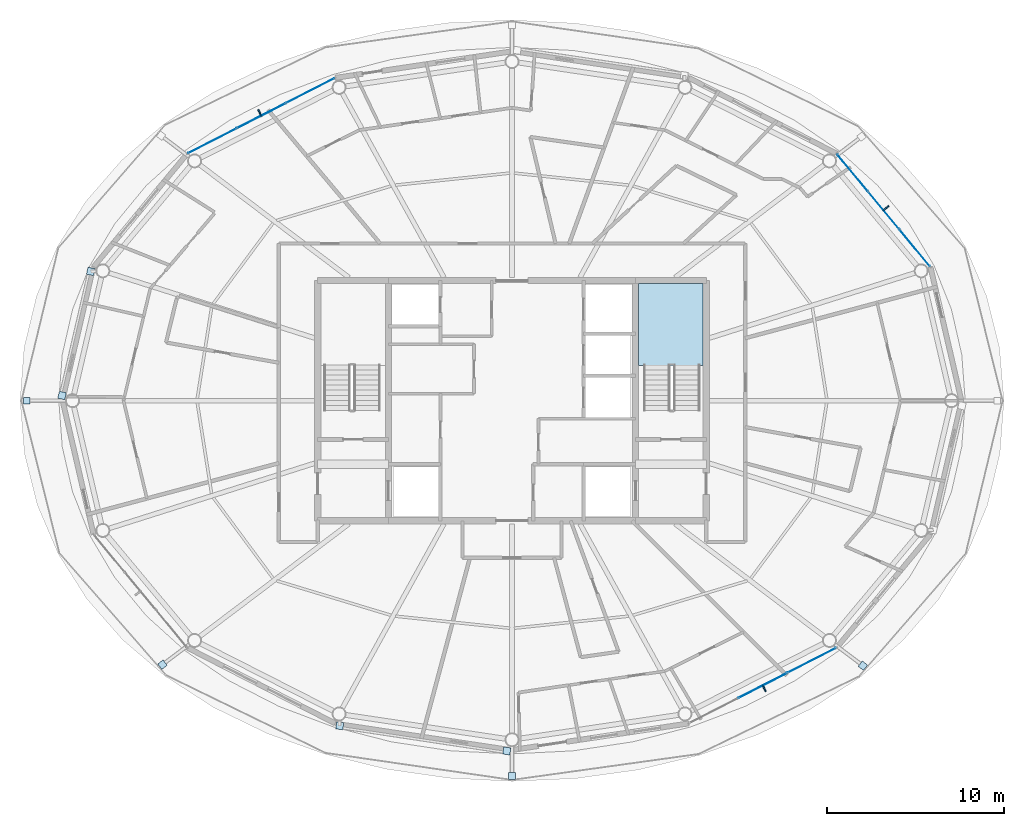
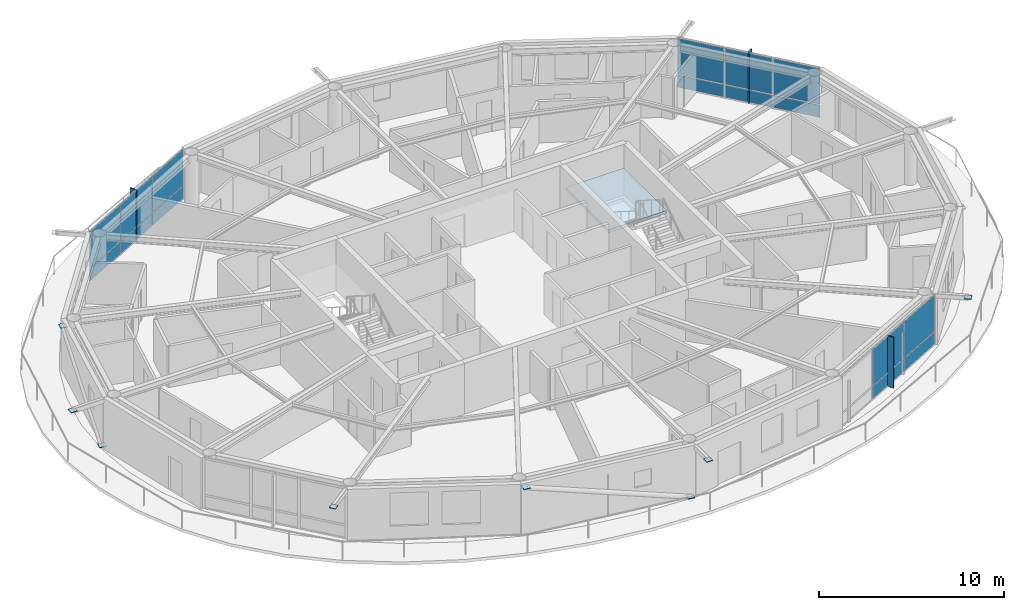
# One storey, part 14 of 23: 27 plates, 1 slab, 4 elements without a shape of their own.
"""IFC4 building model written with IfcOpenShell, lengths in metres."""

from ifc_helpers import new_model, si_unit, direction, frame, origin, origin_2d, place, context, subcontext, project, spatial, polyline, rectangle, outline, extrude, material, layer, layer_set, type_object, element, aggregate, save


model = new_model("IFC4")

# Units and contexts
model_context = context("Model", 3, precision=1e-05, world=origin(), true_north=direction((0.0, 1.0)))
body_context = subcontext(model_context, "Body", "Model", "MODEL_VIEW")
ifc_project = project(units=[si_unit("LENGTHUNIT", "METRE"), si_unit("AREAUNIT", "SQUARE_METRE"), si_unit("VOLUMEUNIT", "CUBIC_METRE"), si_unit("PLANEANGLEUNIT", "RADIAN"), si_unit("MASSUNIT", "GRAM", prefix="KILO")], contexts=[model_context])

# Site, building, storey
site_placement = place(None, origin())
site = spatial("IfcSite", under=ifc_project, at=site_placement, CompositionType="ELEMENT")
building_placement = place(site_placement, origin())
building = spatial("IfcBuilding", under=site, at=building_placement, Name="Sarneth Arch Tower", CompositionType="ELEMENT")
storey_placement = place(building_placement, frame((0.0, 0.0, 269.39990234375)))
storey = spatial("IfcBuildingStorey", under=building, at=storey_placement, Name="L69", CompositionType="ELEMENT", Elevation=269.39990234375)

# Curtain wall, plates
ifc_material_1 = material(Name="Anodised aluminium Type AA25 and solar-control low-e laminated IGU", Category="aluminium")
ifc_layer_1 = layer(ifc_material_1, 0.179931640625)
ifc_layer_set_1 = layer_set([ifc_layer_1], Name="Anodised aluminium Type AA25 and solar-control low-e laminated IGU")
curtain_wall_type = type_object("IfcCurtainWallType", Name="CW-RES-HIGH", PredefinedType="NOTDEFINED", material=ifc_layer_set_1)
curtain_wall_1_placement = place(storey_placement, origin())
curtain_wall_1 = element("IfcCurtainWall", 1, at=curtain_wall_1_placement, inside=storey, type_object=curtain_wall_type, Name="L69 Unitised curtain wall facet 02", PredefinedType="NOTDEFINED")
ifc_material_2 = material(Name="Solar-control low-e laminated IGU", Category="glass")
ifc_layer_2 = layer(ifc_material_2, 0.028076171875)
ifc_layer_set_2 = layer_set([ifc_layer_2], Name="Solar-control low-e laminated IGU")
plate_type_1 = type_object("IfcPlateType", Name="CW-PANEL", PredefinedType="CURTAIN_PANEL", material=ifc_layer_set_2)
plate_1_placement = place(storey_placement, frame((70.799072265625, 50.650634765625, 0.06005859375), z_axis=(0.0, 0.0, 1.0), x_axis=(-0.637610094184, 0.770359245933, 0.0)))
plate_1 = element("IfcPlate", 2, at=plate_1_placement, type_object=plate_type_1, Name="Curtain wall glazed vision pane CW-L69-F02/P00-00", PredefinedType="CURTAIN_PANEL", context=body_context, shape_type="SweptSolid", body=[
    extrude(rectangle(XDim=2.686767578125, YDim=0.028076171875, at=origin_2d()), origin(), (0.0, 0.0, 1.0), 0.81005859375),
])
plate_2_placement = place(storey_placement, frame((70.799072265625, 50.650634765625, 0.93017578125), z_axis=(0.0, 0.0, 1.0), x_axis=(-0.637610094184, 0.770359245933, 0.0)))
plate_2 = element("IfcPlate", 3, at=plate_2_placement, type_object=plate_type_1, Name="Curtain wall glazed vision pane CW-L69-F02/P00-01", PredefinedType="CURTAIN_PANEL", context=body_context, shape_type="SweptSolid", body=[
    extrude(rectangle(XDim=2.686767578125, YDim=0.028076171875, at=origin_2d()), origin(), (0.0, 0.0, 1.0), 2.3798828125),
])
plate_3_placement = place(storey_placement, frame((69.0380859375, 52.778076171875, 0.06005859375), z_axis=(0.0, 0.0, 1.0), x_axis=(-0.637610094184, 0.770359245933, 0.0)))
plate_3 = element("IfcPlate", 4, at=plate_3_placement, type_object=plate_type_1, Name="Curtain wall glazed vision pane CW-L69-F02/P01-00", PredefinedType="CURTAIN_PANEL", context=body_context, shape_type="SweptSolid", body=[
    extrude(rectangle(XDim=2.716552734375, YDim=0.028076171875, at=origin_2d()), origin(), (0.0, 0.0, 1.0), 0.81005859375),
])
plate_4_placement = place(storey_placement, frame((69.0380859375, 52.778076171875, 0.93017578125), z_axis=(0.0, 0.0, 1.0), x_axis=(-0.637610094184, 0.770359245933, 0.0)))
plate_4 = element("IfcPlate", 5, at=plate_4_placement, type_object=plate_type_1, Name="Curtain wall glazed vision pane CW-L69-F02/P01-01", PredefinedType="CURTAIN_PANEL", context=body_context, shape_type="SweptSolid", body=[
    extrude(rectangle(XDim=2.716552734375, YDim=0.028076171875, at=origin_2d()), origin(), (0.0, 0.0, 1.0), 2.3798828125),
])
plate_5_placement = place(storey_placement, frame((67.27734375, 54.905517578125, 0.06005859375), z_axis=(0.0, 0.0, 1.0), x_axis=(-0.637610094184, 0.770359245933, 0.0)))
plate_5 = element("IfcPlate", 6, at=plate_5_placement, type_object=plate_type_1, Name="Curtain wall glazed vision pane CW-L69-F02/P02-00", PredefinedType="CURTAIN_PANEL", context=body_context, shape_type="SweptSolid", body=[
    extrude(rectangle(XDim=2.686767578125, YDim=0.028076171875, at=origin_2d()), origin(), (0.0, 0.0, 1.0), 0.81005859375),
])
plate_6_placement = place(storey_placement, frame((67.27734375, 54.905517578125, 0.93017578125), z_axis=(0.0, 0.0, 1.0), x_axis=(-0.637610094184, 0.770359245933, 0.0)))
plate_6 = element("IfcPlate", 7, at=plate_6_placement, type_object=plate_type_1, Name="Curtain wall glazed vision pane CW-L69-F02/P02-01", PredefinedType="CURTAIN_PANEL", context=body_context, shape_type="SweptSolid", body=[
    extrude(rectangle(XDim=2.686767578125, YDim=0.028076171875, at=origin_2d()), origin(), (0.0, 0.0, 1.0), 2.3798828125),
])
aggregate(curtain_wall_1, [plate_1, plate_2, plate_3, plate_4, plate_5, plate_6])

curtain_wall_2_placement = place(storey_placement, origin())
curtain_wall_2 = element("IfcCurtainWall", 8, at=curtain_wall_2_placement, inside=storey, type_object=curtain_wall_type, Name="L69 Unitised curtain wall facet 06", PredefinedType="NOTDEFINED")
plate_7_placement = place(storey_placement, frame((36.5791015625, 59.552978515625, 0.06005859375), z_axis=(0.0, 0.0, 1.0), x_axis=(-0.890009540525, -0.455941901753, 0.0)))
plate_7 = element("IfcPlate", 9, at=plate_7_placement, type_object=plate_type_1, Name="Curtain wall glazed vision pane CW-L69-F06/P00-00", PredefinedType="CURTAIN_PANEL", context=body_context, shape_type="SweptSolid", body=[
    extrude(rectangle(XDim=3.044677734375, YDim=0.028076171875, at=origin_2d()), origin(), (0.0, 0.0, 1.0), 0.81005859375),
])
plate_8_placement = place(storey_placement, frame((36.5791015625, 59.552978515625, 0.93017578125), z_axis=(0.0, 0.0, 1.0), x_axis=(-0.890009540525, -0.455941901753, 0.0)))
plate_8 = element("IfcPlate", 10, at=plate_8_placement, type_object=plate_type_1, Name="Curtain wall glazed vision pane CW-L69-F06/P00-01", PredefinedType="CURTAIN_PANEL", context=body_context, shape_type="SweptSolid", body=[
    extrude(rectangle(XDim=3.044677734375, YDim=0.028076171875, at=origin_2d()), origin(), (0.0, 0.0, 1.0), 2.3798828125),
])
plate_9_placement = place(storey_placement, frame((33.802490234375, 58.13037109375, 0.06005859375), z_axis=(0.0, 0.0, 1.0), x_axis=(-0.890009540525, -0.455941901753, 0.0)))
plate_9 = element("IfcPlate", 11, at=plate_9_placement, type_object=plate_type_1, Name="Curtain wall glazed vision pane CW-L69-F06/P01-00", PredefinedType="CURTAIN_PANEL", context=body_context, shape_type="SweptSolid", body=[
    extrude(rectangle(XDim=3.07470703125, YDim=0.028076171875, at=origin_2d()), origin(), (0.0, 0.0, 1.0), 0.81005859375),
])
plate_10_placement = place(storey_placement, frame((33.802490234375, 58.13037109375, 0.93017578125), z_axis=(0.0, 0.0, 1.0), x_axis=(-0.890009540525, -0.455941901753, 0.0)))
plate_10 = element("IfcPlate", 12, at=plate_10_placement, type_object=plate_type_1, Name="Curtain wall glazed vision pane CW-L69-F06/P01-01", PredefinedType="CURTAIN_PANEL", context=body_context, shape_type="SweptSolid", body=[
    extrude(rectangle(XDim=3.07470703125, YDim=0.028076171875, at=origin_2d()), origin(), (0.0, 0.0, 1.0), 2.3798828125),
])
plate_11_placement = place(storey_placement, frame((31.02587890625, 56.7080078125, 0.06005859375), z_axis=(0.0, 0.0, 1.0), x_axis=(-0.890009540525, -0.455941901753, 0.0)))
plate_11 = element("IfcPlate", 13, at=plate_11_placement, type_object=plate_type_1, Name="Curtain wall glazed vision pane CW-L69-F06/P02-00", PredefinedType="CURTAIN_PANEL", context=body_context, shape_type="SweptSolid", body=[
    extrude(rectangle(XDim=3.044677734375, YDim=0.028076171875, at=origin_2d()), origin(), (0.0, 0.0, 1.0), 0.81005859375),
])
plate_12_placement = place(storey_placement, frame((31.02587890625, 56.7080078125, 0.93017578125), z_axis=(0.0, 0.0, 1.0), x_axis=(-0.890009540525, -0.455941901753, 0.0)))
plate_12 = element("IfcPlate", 14, at=plate_12_placement, type_object=plate_type_1, Name="Curtain wall glazed vision pane CW-L69-F06/P02-01", PredefinedType="CURTAIN_PANEL", context=body_context, shape_type="SweptSolid", body=[
    extrude(rectangle(XDim=3.044677734375, YDim=0.028076171875, at=origin_2d()), origin(), (0.0, 0.0, 1.0), 2.3798828125),
])
aggregate(curtain_wall_2, [plate_7, plate_8, plate_9, plate_10, plate_11, plate_12])

curtain_wall_3_placement = place(storey_placement, origin())
curtain_wall_3 = element("IfcCurtainWall", 15, at=curtain_wall_3_placement, inside=storey, type_object=curtain_wall_type, Name="L69 Unitised curtain wall facet 14", PredefinedType="NOTDEFINED")
plate_13_placement = place(storey_placement, frame((62.197509765625, 25.86962890625, 0.06005859375), z_axis=(0.0, 0.0, 1.0), x_axis=(0.890009540525, 0.455941901753, 0.0)))
plate_13 = element("IfcPlate", 16, at=plate_13_placement, type_object=plate_type_1, Name="Curtain wall glazed vision pane CW-L69-F14/P01-00", PredefinedType="CURTAIN_PANEL", context=body_context, shape_type="SweptSolid", body=[
    extrude(rectangle(XDim=3.07470703125, YDim=0.028076171875, at=origin_2d()), origin(), (0.0, 0.0, 1.0), 0.81005859375),
])
plate_14_placement = place(storey_placement, frame((62.197509765625, 25.86962890625, 0.93017578125), z_axis=(0.0, 0.0, 1.0), x_axis=(0.890009540525, 0.455941901753, 0.0)))
plate_14 = element("IfcPlate", 17, at=plate_14_placement, type_object=plate_type_1, Name="Curtain wall glazed vision pane CW-L69-F14/P01-01", PredefinedType="CURTAIN_PANEL", context=body_context, shape_type="SweptSolid", body=[
    extrude(rectangle(XDim=3.07470703125, YDim=0.028076171875, at=origin_2d()), origin(), (0.0, 0.0, 1.0), 2.3798828125),
])
plate_15_placement = place(storey_placement, frame((64.97412109375, 27.2919921875, 0.06005859375), z_axis=(0.0, 0.0, 1.0), x_axis=(0.890009540525, 0.455941901753, 0.0)))
plate_15 = element("IfcPlate", 18, at=plate_15_placement, type_object=plate_type_1, Name="Curtain wall glazed vision pane CW-L69-F14/P02-00", PredefinedType="CURTAIN_PANEL", context=body_context, shape_type="SweptSolid", body=[
    extrude(rectangle(XDim=3.044677734375, YDim=0.028076171875, at=origin_2d()), origin(), (0.0, 0.0, 1.0), 0.81005859375),
])
plate_16_placement = place(storey_placement, frame((64.97412109375, 27.2919921875, 0.93017578125), z_axis=(0.0, 0.0, 1.0), x_axis=(0.890009540525, 0.455941901753, 0.0)))
plate_16 = element("IfcPlate", 19, at=plate_16_placement, type_object=plate_type_1, Name="Curtain wall glazed vision pane CW-L69-F14/P02-01", PredefinedType="CURTAIN_PANEL", context=body_context, shape_type="SweptSolid", body=[
    extrude(rectangle(XDim=3.044677734375, YDim=0.028076171875, at=origin_2d()), origin(), (0.0, 0.0, 1.0), 2.3798828125),
])
aggregate(curtain_wall_3, [plate_13, plate_14, plate_15, plate_16])

# Plates
ifc_material_3 = material(Name="Steel S355", Category="steel")
ifc_layer_3 = layer(ifc_material_3, 0.035888671875)
ifc_layer_set_3 = layer_set([ifc_layer_3], Name="Steel S355")
plate_type_2 = type_object("IfcPlateType", Name="PLT-GUSSET-30", PredefinedType="SHEET", material=ifc_layer_set_3)
for number, where, z_axis, x_axis, name in (
    (20, (22.5234375, 42.292236328125, 0.001953125), (0.0, 0.0, 1.0), (-0.225461202458, -0.974252147129, 0.0), "Steel end cap plate GP-1"),
    (21, (24.148193359375, 49.3154296875, 3.07421875), (0.0, 0.0, 1.0), (-0.225461202458, -0.974252147129, 0.0), "Steel end cap plate GP-1"),
):
    element("IfcPlate", number, at=place(storey_placement, frame(where, z_axis=z_axis, x_axis=x_axis)), inside=storey, type_object=plate_type_2, Name=name, PredefinedType="SHEET", context=body_context, shape_type="SweptSolid", body=[
        extrude(rectangle(XDim=0.404052734375, YDim=0.404052734375, at=origin_2d()), origin(), (0.0, 0.0, 1.0), 0.035888671875),
    ])
for number, where, z_axis, x_axis, name in (
    (22, (20.52099609375, 42.0, 3.1923828125), (0.0, 0.0, 1.0), (-1.0, 0.0, 0.0), "Steel end cap plate GP-1"),
    (23, (28.20751953125, 27.051025390625, 3.1923828125), (0.0, 0.0, 1.0), (-0.798004853043, -0.602651022168, 0.0), "Steel end cap plate GP-1"),
):
    element("IfcPlate", number, at=place(storey_placement, frame(where, z_axis=z_axis, x_axis=x_axis)), inside=storey, type_object=plate_type_2, Name=name, PredefinedType="SHEET", context=body_context, shape_type="SweptSolid", body=[
        extrude(rectangle(XDim=0.3798828125, YDim=0.3798828125, at=origin_2d()), origin(), (0.0, 0.0, 1.0), 0.035888671875),
    ])
for number, where, z_axis, x_axis, name in (
    (24, (47.703369140625, 22.16455078125, 0.001953125), (0.0, 0.0, 1.0), (0.988860535448, -0.148845024885, 0.0), "Steel end cap plate GP-1"),
    (25, (38.245849609375, 23.588623046875, 3.07421875), (0.0, 0.0, 1.0), (0.988860535448, -0.148845024885, 0.0), "Steel end cap plate GP-1"),
):
    element("IfcPlate", number, at=place(storey_placement, frame(where, z_axis=z_axis, x_axis=x_axis)), inside=storey, type_object=plate_type_2, Name=name, PredefinedType="SHEET", context=body_context, shape_type="SweptSolid", body=[
        extrude(rectangle(XDim=0.404052734375, YDim=0.404052734375, at=origin_2d()), origin(), (0.0, 0.0, 1.0), 0.035888671875),
    ])
for number, where, z_axis, x_axis, name in (
    (26, (48.0, 20.745849609375, 3.1923828125), (0.0, 0.0, 1.0), (0.0, -1.0, 0.0), "Steel end cap plate GP-1"),
    (27, (67.86865234375, 26.993408203125, 3.1923828125), (0.0, 0.0, 1.0), (0.798004853043, -0.602651022168, 0.0), "Steel end cap plate GP-1"),
):
    element("IfcPlate", number, at=place(storey_placement, frame(where, z_axis=z_axis, x_axis=x_axis)), inside=storey, type_object=plate_type_2, Name=name, PredefinedType="SHEET", context=body_context, shape_type="SweptSolid", body=[
        extrude(rectangle(XDim=0.3798828125, YDim=0.3798828125, at=origin_2d()), origin(), (0.0, 0.0, 1.0), 0.035888671875),
    ])
ifc_material_4 = material(Name="Extruded glazed terracotta baguette fin on Aluminium 6063-T6 carrier", Category="masonry")
ifc_layer_4 = layer(ifc_material_4, 0.080078125)
ifc_layer_set_4 = layer_set([ifc_layer_4], Name="Extruded glazed terracotta baguette fin on Aluminium 6063-T6 carrier")
plate_type_3 = type_object("IfcPlateType", Name="SHADE-TERRA-FIN", PredefinedType="SHEET", material=ifc_layer_set_4)
for number, where, z_axis, x_axis, name in (
    (28, (69.169189453125, 52.886474609375, 0.010009765625), (0.0, 0.0, 1.0), (0.770401979567, 0.63755845997, 0.0), "L69 Terracotta vertical shading fin 02"),
    (29, (33.724853515625, 58.28173828125, 0.010009765625), (0.0, 0.0, 1.0), (-0.456010959102, 0.889974159838, 0.0), "L69 Terracotta vertical shading fin 06"),
    (30, (62.275146484375, 25.71826171875, 0.010009765625), (0.0, 0.0, 1.0), (0.456010959102, -0.889974159838, 0.0), "L69 Terracotta vertical shading fin 14"),
):
    element("IfcPlate", number, at=place(storey_placement, frame(where, z_axis=z_axis, x_axis=x_axis)), inside=storey, type_object=plate_type_3, Name=name, PredefinedType="SHEET", context=body_context, shape_type="SweptSolid", body=[
        extrude(rectangle(XDim=0.419921875, YDim=0.080078125, at=origin_2d()), origin(), (0.0, 0.0, 1.0), 3.35009765625),
    ])

# Stair, slab
ifc_material_5 = material(Name="Concrete C50/60", Category="concrete")
stair_type = type_object("IfcStairType", Name="STAIR-CORE-RC", PredefinedType="HALF_TURN_STAIR", material=ifc_material_5)
stair_placement = place(storey_placement, origin())
stair = element("IfcStair", 31, at=stair_placement, inside=storey, type_object=stair_type, Name="L69 Core Exit Stair 2", PredefinedType="HALF_TURN_STAIR")
ifc_material_6 = material(Name="Concrete C50/60", Category="concrete")
ifc_layer_5 = layer(ifc_material_6, 0.199951171875)
ifc_layer_set_5 = layer_set([ifc_layer_5], Name="Concrete C50/60")
slab_type = type_object("IfcSlabType", Name="SLAB-LANDING-200", PredefinedType="LANDING", material=ifc_layer_set_5)
slab_placement = place(storey_placement, frame((0.0, 0.0, 1.60009765625)))
slab = element("IfcSlab", 32, at=slab_placement, type_object=slab_type, Name="ST-2 landing 1", PredefinedType="LANDING", context=body_context, shape_type="SweptSolid", body=[
    extrude(outline(polyline([(55.175048828125, 43.985107421875), (58.824951171875, 43.985107421875), (58.824951171875, 48.625), (55.175048828125, 48.625), (55.175048828125, 43.985107421875)])), origin(), (0.0, 0.0, 1.0), 0.199951171875),
])
aggregate(stair, [slab])

save(model, "model.ifc")
